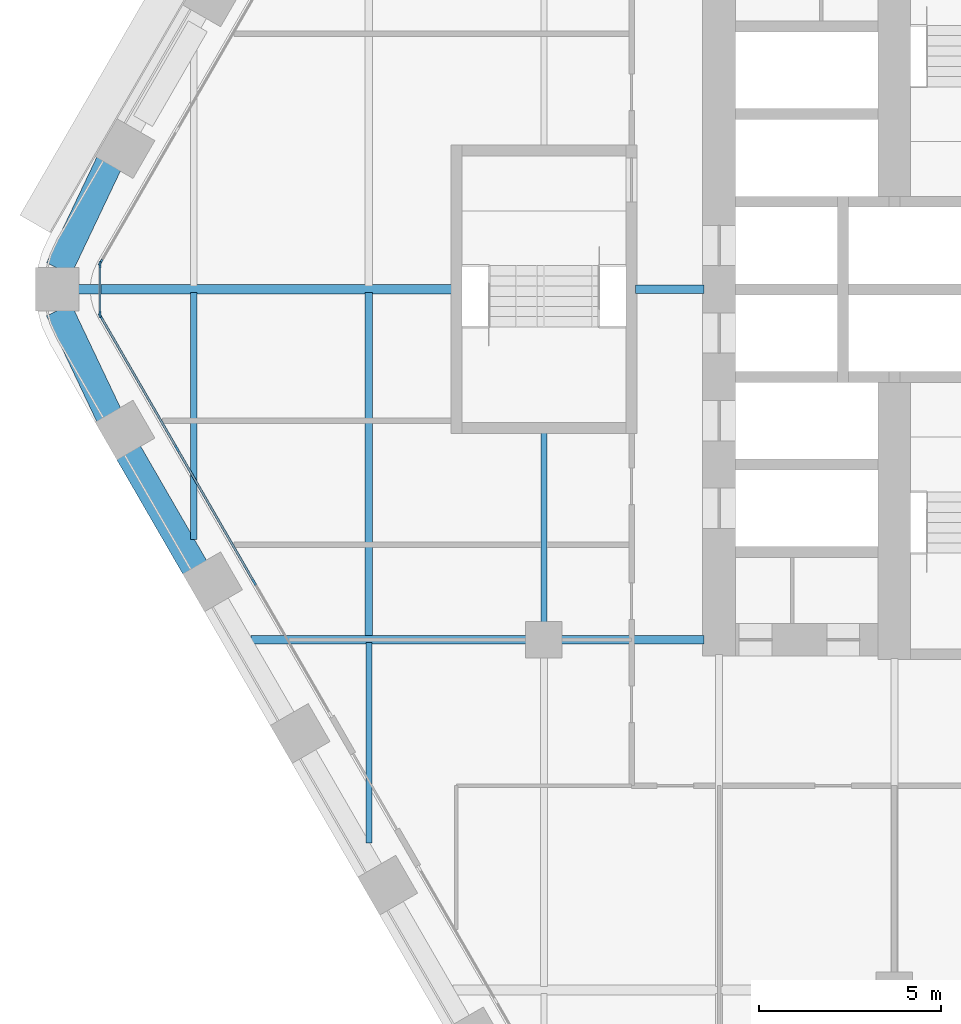
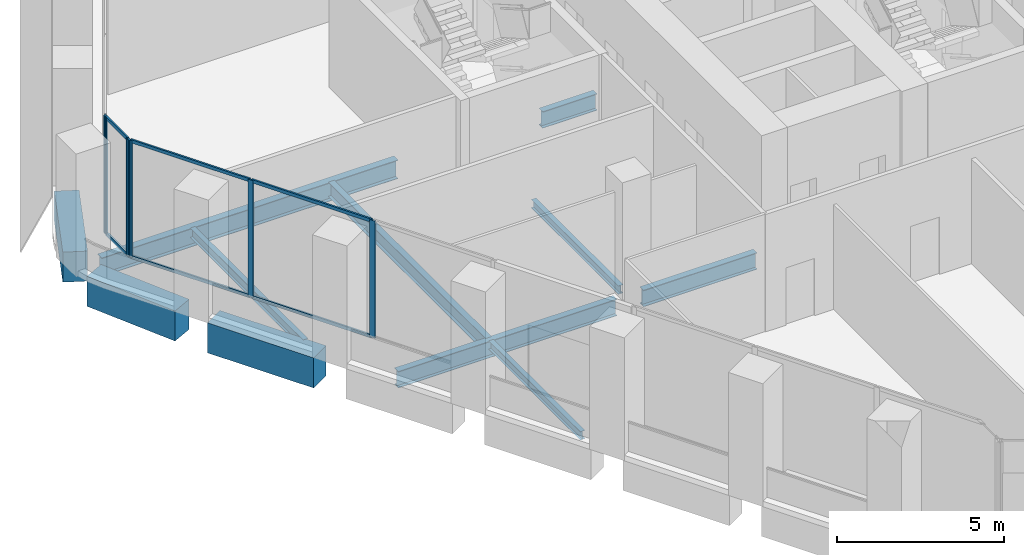
# One storey, part 3 of 23: 12 members, 11 beams, 3 elements without a shape of their own.
"""IFC4 building model written with IfcOpenShell, lengths in metres."""

from ifc_helpers import new_model, si_unit, direction, frame, origin, origin_2d, place, context, subcontext, project, spatial, rectangle, i_section, extrude, material, material_profile, profile_set, type_object, element, aggregate, save


model = new_model("IFC4")

# Units and contexts
model_context = context("Model", 3, precision=1e-05, world=origin(), true_north=direction((0.0, 1.0)))
body_context = subcontext(model_context, "Body", "Model", "MODEL_VIEW")
ifc_project = project(units=[si_unit("LENGTHUNIT", "METRE"), si_unit("AREAUNIT", "SQUARE_METRE"), si_unit("VOLUMEUNIT", "CUBIC_METRE"), si_unit("PLANEANGLEUNIT", "RADIAN"), si_unit("MASSUNIT", "GRAM", prefix="KILO")], contexts=[model_context])

# Site, building, storey
site_placement = place(None, origin())
site = spatial("IfcSite", under=ifc_project, at=site_placement, CompositionType="ELEMENT")
building_placement = place(site_placement, origin())
building = spatial("IfcBuilding", under=site, at=building_placement, Name="Kolab Exchange Tower", CompositionType="ELEMENT")
storey_placement = place(building_placement, frame((0.0, 0.0, 95.89990234375)))
storey = spatial("IfcBuildingStorey", under=building, at=storey_placement, Name="L18", CompositionType="ELEMENT", Elevation=95.89990234375)

# Beams
ifc_material_1 = material(Name="Steel S355", Category="steel")
ifc_material_profile_1 = material_profile(ifc_material_1, i_section(OverallWidth=0.1650390625, OverallDepth=0.31005859375, WebThickness=0.005859375, FlangeThickness=0.009765625, at=origin_2d()), Name="W310X39")
ifc_profile_set_1 = profile_set([ifc_material_profile_1], Name="Steel S355")
beam_type_1 = type_object("IfcBeamType", Name="FLOOR BEAM W310X39", PredefinedType="BEAM", material=ifc_profile_set_1)
beam_1_placement = place(storey_placement, frame((-24.0, -15.167724609375, -0.35498046875), z_axis=(0.0, 1.0, 0.0), x_axis=(-1.0, 0.0, 0.0)))
element("IfcBeam", 1, at=beam_1_placement, inside=storey, type_object=beam_type_1, Name="beam/L18/fr/002", PredefinedType="BEAM", context=body_context, shape_type="SweptSolid", body=[
    extrude(i_section(OverallWidth=0.1650390625, OverallDepth=0.31005859375, WebThickness=0.005859375, FlangeThickness=0.009765625, at=origin_2d()), origin(), (0.0, 0.0, 1.0), 5.49365234375),
])
beam_2_placement = place(storey_placement, frame((-19.199951171875, -9.139892578125, -0.35498046875), z_axis=(0.0, 1.0, 0.0), x_axis=(-1.0, 0.0, 0.0)))
element("IfcBeam", 2, at=beam_2_placement, inside=storey, type_object=beam_type_1, Name="beam/L18/fr/008", PredefinedType="BEAM", context=body_context, shape_type="SweptSolid", body=[
    extrude(i_section(OverallWidth=0.1650390625, OverallDepth=0.31005859375, WebThickness=0.005859375, FlangeThickness=0.009765625, at=origin_2d()), origin(), (0.0, 0.0, 1.0), 5.22998046875),
])
ifc_material_profile_2 = material_profile(ifc_material_1, i_section(OverallWidth=0.1708984375, OverallDepth=0.35498046875, WebThickness=0.007080078125, FlangeThickness=0.01171875, at=origin_2d()), Name="W360X51")
ifc_profile_set_2 = profile_set([ifc_material_profile_2], Name="Steel S355")
beam_type_2 = type_object("IfcBeamType", Name="FLOOR BEAM W360X51", PredefinedType="BEAM", material=ifc_profile_set_2)
beam_3_placement = place(storey_placement, frame((-28.800048828125, -6.853759765625, -0.37744140625), z_axis=(0.0, 1.0, 0.0), x_axis=(-1.0, 0.0, 0.0)))
element("IfcBeam", 3, at=beam_3_placement, inside=storey, type_object=beam_type_2, Name="beam/L18/fr/000", PredefinedType="BEAM", context=body_context, shape_type="SweptSolid", body=[
    extrude(i_section(OverallWidth=0.1708984375, OverallDepth=0.35498046875, WebThickness=0.007080078125, FlangeThickness=0.01171875, at=origin_2d()), origin(), (0.0, 0.0, 1.0), 6.766845703125),
])
ifc_material_profile_3 = material_profile(ifc_material_1, i_section(OverallWidth=0.208984375, OverallDepth=0.532958984375, WebThickness=0.01025390625, FlangeThickness=0.015625, at=origin_2d()), Name="W530X92")
ifc_profile_set_3 = profile_set([ifc_material_profile_3], Name="Steel S355")
beam_type_3 = type_object("IfcBeamType", Name="FLOOR BEAM W530X92", PredefinedType="BEAM", material=ifc_profile_set_3)
beam_4_placement = place(storey_placement, frame((-24.0, -9.52587890625, -0.46630859375), z_axis=(0.0, 1.0, 0.0), x_axis=(-1.0, 0.0, 0.0)))
element("IfcBeam", 4, at=beam_4_placement, inside=storey, type_object=beam_type_3, Name="beam/L18/fr/003", PredefinedType="BEAM", context=body_context, shape_type="SweptSolid", body=[
    extrude(i_section(OverallWidth=0.208984375, OverallDepth=0.532958984375, WebThickness=0.01025390625, FlangeThickness=0.015625, at=origin_2d()), origin(), (0.0, 0.0, 1.0), 9.43896484375),
])
ifc_material_profile_4 = material_profile(ifc_material_1, i_section(OverallWidth=0.22802734375, OverallDepth=0.60791015625, WebThickness=0.01123046875, FlangeThickness=0.017333984375, at=origin_2d()), Name="W610X113")
ifc_profile_set_4 = profile_set([ifc_material_profile_4], Name="Steel S355")
beam_type_4 = type_object("IfcBeamType", Name="FLOOR GIRDER W610X113", PredefinedType="BEAM", material=ifc_profile_set_4)
beam_5_placement = place(storey_placement, frame((-27.2314453125, -9.60009765625, -0.50390625), z_axis=(1.0, 0.0, 0.0), x_axis=(0.0, 1.0, 0.0)))
element("IfcBeam", 5, at=beam_5_placement, inside=storey, type_object=beam_type_4, Name="beam/L18/gd/001", PredefinedType="BEAM", context=body_context, shape_type="SweptSolid", body=[
    extrude(i_section(OverallWidth=0.22802734375, OverallDepth=0.60791015625, WebThickness=0.01123046875, FlangeThickness=0.017333984375, at=origin_2d()), origin(), (0.0, 0.0, 1.0), 7.571533203125),
])
beam_6_placement = place(storey_placement, frame((-18.739990234375, -9.60009765625, -0.50390625), z_axis=(1.0, 0.0, 0.0), x_axis=(0.0, 1.0, 0.0)))
element("IfcBeam", 6, at=beam_6_placement, inside=storey, type_object=beam_type_4, Name="beam/L18/gd/005", PredefinedType="BEAM", context=body_context, shape_type="SweptSolid", body=[
    extrude(i_section(OverallWidth=0.22802734375, OverallDepth=0.60791015625, WebThickness=0.01123046875, FlangeThickness=0.017333984375, at=origin_2d()), origin(), (0.0, 0.0, 1.0), 3.929931640625),
])
beam_7_placement = place(storey_placement, frame((-16.68994140625, 0.0, -0.50390625), z_axis=(1.0, 0.0, 0.0), x_axis=(0.0, 1.0, 0.0)))
element("IfcBeam", 7, at=beam_7_placement, inside=storey, type_object=beam_type_4, Name="beam/L18/gd/007", PredefinedType="BEAM", context=body_context, shape_type="SweptSolid", body=[
    extrude(i_section(OverallWidth=0.22802734375, OverallDepth=0.60791015625, WebThickness=0.01123046875, FlangeThickness=0.017333984375, at=origin_2d()), origin(), (0.0, 0.0, 1.0), 1.8798828125),
])
ifc_material_profile_5 = material_profile(ifc_material_1, i_section(OverallWidth=0.25390625, OverallDepth=0.68408203125, WebThickness=0.012451171875, FlangeThickness=0.018798828125, at=origin_2d()), Name="W690X140")
ifc_profile_set_5 = profile_set([ifc_material_profile_5], Name="Steel S355")
beam_type_5 = type_object("IfcBeamType", Name="FLOOR GIRDER W690X140", PredefinedType="BEAM", material=ifc_profile_set_5)
beam_8_placement = place(storey_placement, frame((-31.975830078125, 0.0, -0.5419921875), z_axis=(1.0, 0.0, 0.0), x_axis=(0.0, 1.0, 0.0)))
element("IfcBeam", 8, at=beam_8_placement, inside=storey, type_object=beam_type_5, Name="beam/L18/gd/000", PredefinedType="BEAM", context=body_context, shape_type="SweptSolid", body=[
    extrude(i_section(OverallWidth=0.25390625, OverallDepth=0.68408203125, WebThickness=0.012451171875, FlangeThickness=0.018798828125, at=origin_2d()), origin(), (0.0, 0.0, 1.0), 10.265869140625),
])
ifc_material_2 = material(Name="Concrete C70/85", Category="concrete")
ifc_material_profile_6 = material_profile(ifc_material_2, rectangle(XDim=0.75, YDim=1.10009765625, at=origin_2d()), Name="RC750X1100")
ifc_profile_set_6 = profile_set([ifc_material_profile_6], Name="Concrete C70/85")
beam_type_6 = type_object("IfcBeamType", Name="SPANDREL BEAM 750X1100 C70/85", PredefinedType="BEAM", material=ifc_profile_set_6)
beam_9_placement = place(storey_placement, frame((-28.755126953125, -7.641357421875, -0.75), z_axis=(-0.500013413428, 0.866017659399, 0.0), x_axis=(-0.866017659399, -0.500013413428, 0.0)))
element("IfcBeam", 9, at=beam_9_placement, inside=storey, type_object=beam_type_6, Name="beam/L18/sp/F5-06", PredefinedType="BEAM", context=body_context, shape_type="SweptSolid", body=[
    extrude(rectangle(XDim=0.75, YDim=1.10009765625, at=origin_2d()), origin(), (0.0, 0.0, 1.0), 3.68017578125),
])
for number, where, z_axis, x_axis, name in (
    (10, (-31.116455078125, -3.4619140625, -0.75), (-0.429041292193, 0.903284877319, 0.0), (-0.903284877319, -0.429041292193, 0.0), "beam/L18/sp/F5-07"),
    (11, (-32.492919921875, 0.56396484375, -0.75), (0.429041292193, 0.903284877319, 0.0), (-0.903284877319, 0.429041292193, 0.0), "beam/L18/sp/F6-01"),
):
    element("IfcBeam", number, at=place(storey_placement, frame(where, z_axis=z_axis, x_axis=x_axis)), inside=storey, type_object=beam_type_6, Name=name, PredefinedType="BEAM", context=body_context, shape_type="SweptSolid", body=[
        extrude(rectangle(XDim=0.75, YDim=1.10009765625, at=origin_2d()), origin(), (0.0, 0.0, 1.0), 3.208251953125),
    ])

# Curtain wall, members
ifc_material_3 = material(Name="Aluminium EN AW-6063 T6", Category="aluminium")
curtain_wall_type = type_object("IfcCurtainWallType", Name="UNITISED LOWER MID ZONE CURTAIN WALL", PredefinedType="NOTDEFINED", material=ifc_material_3)
curtain_wall_1_placement = place(storey_placement, origin())
curtain_wall_1 = element("IfcCurtainWall", 12, at=curtain_wall_1_placement, inside=storey, type_object=curtain_wall_type, Name="cw/L18/F5-2", PredefinedType="NOTDEFINED")
ifc_material_profile_7 = material_profile(ifc_material_3, rectangle(XDim=0.06005859375, YDim=0.179931640625, at=origin_2d()), Name="RECT 60X180")
ifc_profile_set_7 = profile_set([ifc_material_profile_7], Name="Aluminium EN AW-6063 T6")
member_type_1 = type_object("IfcMemberType", Name="UNITISED LOWER MID ZONE MULLION 60 X 180", PredefinedType="MULLION", material=ifc_profile_set_7)
member_1_placement = place(storey_placement, frame((-27.14306640625, -8.02392578125, 0.0), z_axis=(0.0, 0.0, 1.0), x_axis=(-0.866025427826, -0.499999958358, 0.0)))
member_1 = element("IfcMember", 13, at=member_1_placement, type_object=member_type_1, Name="CW2 mullion 2", PredefinedType="MULLION", context=body_context, shape_type="SweptSolid", body=[
    extrude(rectangle(XDim=0.06005859375, YDim=0.179931640625, at=origin_2d()), origin(), (0.0, 0.0, 1.0), 4.300048828125),
])
member_2_placement = place(storey_placement, frame((-29.25439453125, -4.366943359375, 0.0), z_axis=(0.0, 0.0, 1.0), x_axis=(-0.866025427826, -0.499999958358, 0.0)))
member_2 = element("IfcMember", 14, at=member_2_placement, type_object=member_type_1, Name="CW2 mullion 3", PredefinedType="MULLION", context=body_context, shape_type="SweptSolid", body=[
    extrude(rectangle(XDim=0.06005859375, YDim=0.179931640625, at=origin_2d()), origin(), (0.0, 0.0, 1.0), 4.300048828125),
])
member_3_placement = place(storey_placement, frame((-31.3505859375, -0.736083984375, 0.0), z_axis=(0.0, 0.0, 1.0), x_axis=(-0.866025427826, -0.499999958358, 0.0)))
member_3 = element("IfcMember", 15, at=member_3_placement, type_object=member_type_1, Name="CW2 mullion 4", PredefinedType="MULLION", context=body_context, shape_type="SweptSolid", body=[
    extrude(rectangle(XDim=0.06005859375, YDim=0.179931640625, at=origin_2d()), origin(), (0.0, 0.0, 1.0), 4.300048828125),
])

# Curtain wall, member
curtain_wall_2_placement = place(storey_placement, origin())
curtain_wall_2 = element("IfcCurtainWall", 16, at=curtain_wall_2_placement, inside=storey, type_object=curtain_wall_type, Name="cw/L18/F6-1", PredefinedType="NOTDEFINED")
member_4_placement = place(storey_placement, frame((-31.3505859375, 0.736083984375, 0.0), z_axis=(0.0, 0.0, 1.0), x_axis=(-0.866025427826, 0.499999958358, 0.0)))
member_4 = element("IfcMember", 17, at=member_4_placement, type_object=member_type_1, Name="CW2 mullion 1", PredefinedType="MULLION", context=body_context, shape_type="SweptSolid", body=[
    extrude(rectangle(XDim=0.06005859375, YDim=0.179931640625, at=origin_2d()), origin(), (0.0, 0.0, 1.0), 4.300048828125),
])
aggregate(curtain_wall_2, [member_4])

# Curtain wall, members
curtain_wall_3_placement = place(storey_placement, origin())
curtain_wall_3 = element("IfcCurtainWall", 18, at=curtain_wall_3_placement, inside=storey, type_object=curtain_wall_type, Name="cw/L18/F5F6-corner", PredefinedType="NOTDEFINED")
member_5_placement = place(storey_placement, frame((-31.36572265625, -0.679931640625, 0.0), z_axis=(0.0, 0.0, 1.0), x_axis=(-1.0, 0.0, 0.0)))
member_5 = element("IfcMember", 19, at=member_5_placement, type_object=member_type_1, Name="CW2 mullion 1", PredefinedType="MULLION", context=body_context, shape_type="SweptSolid", body=[
    extrude(rectangle(XDim=0.06005859375, YDim=0.179931640625, at=origin_2d()), origin(), (0.0, 0.0, 1.0), 4.300048828125),
])
member_6_placement = place(storey_placement, frame((-31.36572265625, 0.679931640625, 0.0), z_axis=(0.0, 0.0, 1.0), x_axis=(-1.0, 0.0, 0.0)))
member_6 = element("IfcMember", 20, at=member_6_placement, type_object=member_type_1, Name="CW2 mullion 2", PredefinedType="MULLION", context=body_context, shape_type="SweptSolid", body=[
    extrude(rectangle(XDim=0.06005859375, YDim=0.179931640625, at=origin_2d()), origin(), (0.0, 0.0, 1.0), 4.300048828125),
])

# Member
ifc_material_profile_8 = material_profile(ifc_material_3, rectangle(XDim=0.06005859375, YDim=0.1201171875, at=origin_2d()), Name="RECT 60X120")
ifc_profile_set_8 = profile_set([ifc_material_profile_8], Name="Aluminium EN AW-6063 T6")
member_type_2 = type_object("IfcMemberType", Name="UNITISED LOWER MID ZONE TRANSOM 60 X 120", PredefinedType="USERDEFINED", material=ifc_profile_set_8)
member_7_placement = place(storey_placement, frame((-27.157958984375, -7.997802734375, 0.030029296875), z_axis=(-0.49999322259, 0.866029316688, 0.0), x_axis=(-0.866029316688, -0.49999322259, 0.0)))
member_7 = element("IfcMember", 21, at=member_7_placement, type_object=member_type_2, Name="CW2 transom 2.1", ObjectType="TRANSOM", PredefinedType="USERDEFINED", context=body_context, shape_type="SweptSolid", body=[
    extrude(rectangle(XDim=0.06005859375, YDim=0.1201171875, at=origin_2d()), origin(), (0.0, 0.0, 1.0), 4.16259765625),
])

member_8_placement = place(storey_placement, frame((-27.157958984375, -7.997802734375, 4.27001953125), z_axis=(-0.49999322259, 0.866029316688, 0.0), x_axis=(-0.866029316688, -0.49999322259, 0.0)))
member_8 = element("IfcMember", 22, at=member_8_placement, type_object=member_type_2, Name="CW2 transom 2.2", ObjectType="TRANSOM", PredefinedType="USERDEFINED", context=body_context, shape_type="SweptSolid", body=[
    extrude(rectangle(XDim=0.06005859375, YDim=0.1201171875, at=origin_2d()), origin(), (0.0, 0.0, 1.0), 4.16259765625),
])

member_9_placement = place(storey_placement, frame((-29.269287109375, -4.3408203125, 0.030029296875), z_axis=(-0.500027577057, 0.866009481578, 0.0), x_axis=(-0.866009481578, -0.500027577057, 0.0)))
member_9 = element("IfcMember", 23, at=member_9_placement, type_object=member_type_2, Name="CW2 transom 3.1", ObjectType="TRANSOM", PredefinedType="USERDEFINED", context=body_context, shape_type="SweptSolid", body=[
    extrude(rectangle(XDim=0.06005859375, YDim=0.1201171875, at=origin_2d()), origin(), (0.0, 0.0, 1.0), 4.132568359375),
])

member_10_placement = place(storey_placement, frame((-29.269287109375, -4.3408203125, 4.27001953125), z_axis=(-0.500027577057, 0.866009481578, 0.0), x_axis=(-0.866009481578, -0.500027577057, 0.0)))
member_10 = element("IfcMember", 24, at=member_10_placement, type_object=member_type_2, Name="CW2 transom 3.2", ObjectType="TRANSOM", PredefinedType="USERDEFINED", context=body_context, shape_type="SweptSolid", body=[
    extrude(rectangle(XDim=0.06005859375, YDim=0.1201171875, at=origin_2d()), origin(), (0.0, 0.0, 1.0), 4.132568359375),
])

aggregate(curtain_wall_1, [member_1, member_2, member_3, member_7, member_8, member_9, member_10])

member_11_placement = place(storey_placement, frame((-31.36572265625, -0.64990234375, 0.030029296875), z_axis=(0.0, 1.0, 0.0), x_axis=(-1.0, 0.0, 0.0)))
member_11 = element("IfcMember", 25, at=member_11_placement, type_object=member_type_2, Name="CW2 transom 1.1", ObjectType="TRANSOM", PredefinedType="USERDEFINED", context=body_context, shape_type="SweptSolid", body=[
    extrude(rectangle(XDim=0.06005859375, YDim=0.1201171875, at=origin_2d()), origin(), (0.0, 0.0, 1.0), 1.2998046875),
])

member_12_placement = place(storey_placement, frame((-31.36572265625, -0.64990234375, 4.27001953125), z_axis=(0.0, 1.0, 0.0), x_axis=(-1.0, 0.0, 0.0)))
member_12 = element("IfcMember", 26, at=member_12_placement, type_object=member_type_2, Name="CW2 transom 1.2", ObjectType="TRANSOM", PredefinedType="USERDEFINED", context=body_context, shape_type="SweptSolid", body=[
    extrude(rectangle(XDim=0.06005859375, YDim=0.1201171875, at=origin_2d()), origin(), (0.0, 0.0, 1.0), 1.2998046875),
])

aggregate(curtain_wall_3, [member_5, member_6, member_11, member_12])

save(model, "model.ifc")
